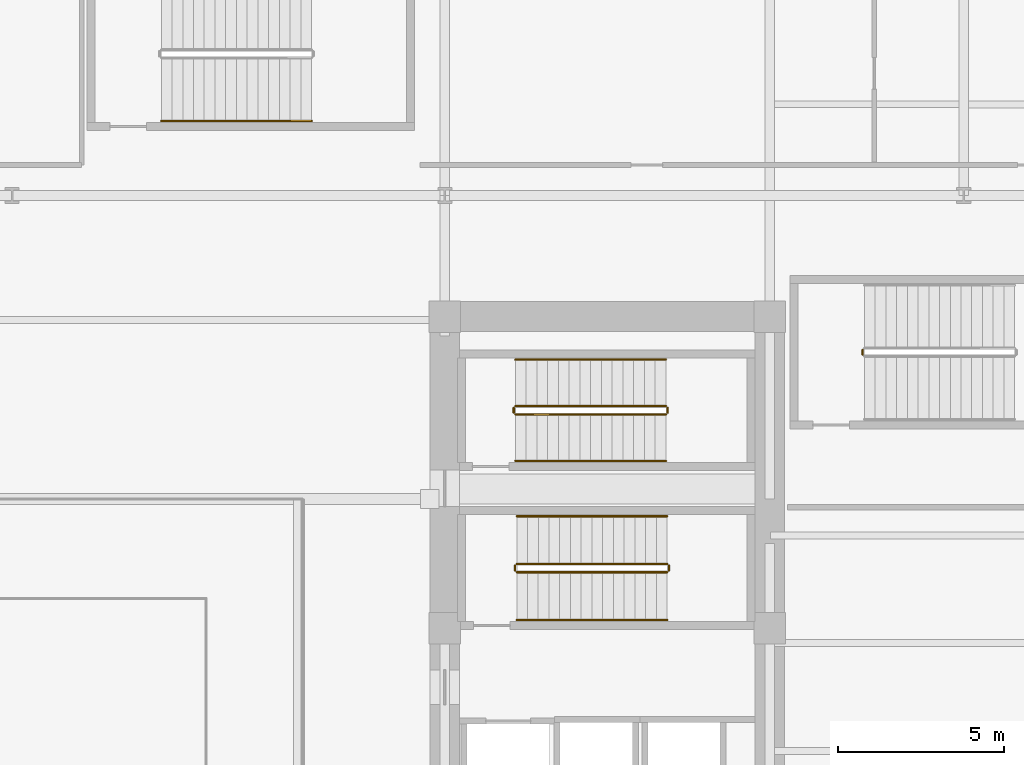
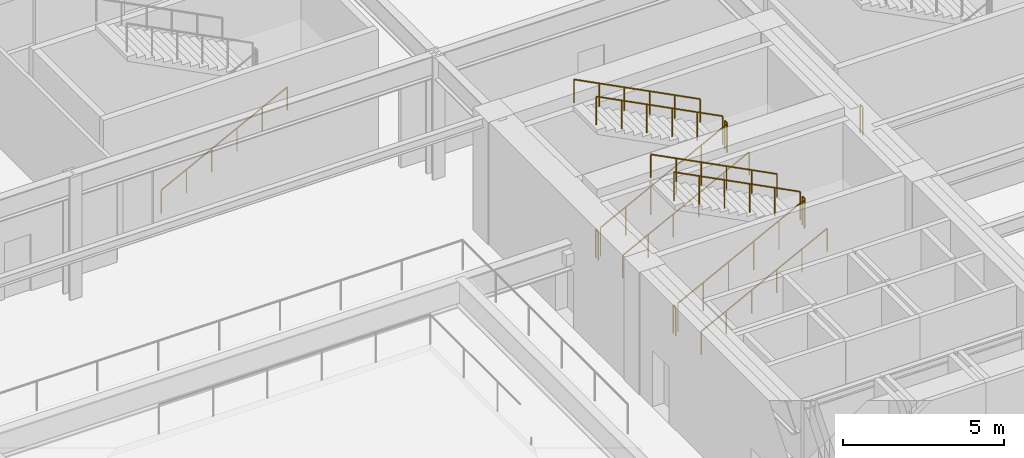
# One storey, part 21 of 24: 14 railings.
"""IFC4 building model written with IfcOpenShell, lengths in metres."""

from ifc_helpers import new_model, si_unit, direction, frame, origin, origin_2d, place, context, subcontext, project, spatial, circle, extrude, material, type_object, element, save


model = new_model("IFC4")

# Units and contexts
model_context = context("Model", 3, precision=1e-05, world=origin(), true_north=direction((0.0, 1.0)))
body_context = subcontext(model_context, "Body", "Model", "MODEL_VIEW")
ifc_project = project(units=[si_unit("LENGTHUNIT", "METRE"), si_unit("AREAUNIT", "SQUARE_METRE"), si_unit("VOLUMEUNIT", "CUBIC_METRE"), si_unit("PLANEANGLEUNIT", "RADIAN"), si_unit("MASSUNIT", "GRAM", prefix="KILO")], contexts=[model_context])

# Site, building, storey
site_placement = place(None, origin())
site = spatial("IfcSite", under=ifc_project, at=site_placement, CompositionType="ELEMENT")
building_placement = place(site_placement, origin())
building = spatial("IfcBuilding", under=site, at=building_placement, Name="Kolvaren Arena Tower", CompositionType="ELEMENT")
storey_placement = place(building_placement, frame((0.0, 0.0, 8.0)))
storey = spatial("IfcBuildingStorey", under=building, at=storey_placement, Name="L01", CompositionType="ELEMENT", Elevation=8.0)

# Railings
ifc_material_1 = material(Name="Painted galvanized steel", Category="steel")
railing_type_1 = type_object("IfcRailingType", Name="GUARD-ST-110", PredefinedType="GUARDRAIL", material=ifc_material_1)
railing_1_placement = place(storey_placement, frame((52.719970703125, 31.639892578125, 0.166748046875)))
element("IfcRailing", 1, at=railing_1_placement, inside=storey, type_object=railing_type_1, Name="L01 ST-E1 stair guard 1", PredefinedType="GUARDRAIL", context=body_context, shape_type="SweptSolid", body=[
    extrude(circle(Radius=0.02392578125, at=origin_2d()), frame((0.0, 0.0, 1.076171875), z_axis=(0.889257211316, 0.0, 0.457407490234), x_axis=(0.0, 1.0, 0.0)), (0.0, 0.0, 1.0), 5.10107421875),
    extrude(circle(Radius=0.02099609375, at=origin_2d()), origin(), (0.0, 0.0, 1.0), 1.052001953125),
    extrude(circle(Radius=0.02099609375, at=origin_2d()), frame((0.9072265625, 0.0, 0.466552734375)), (0.0, 0.0, 1.0), 1.052001953125),
    extrude(circle(Radius=0.02099609375, at=origin_2d()), frame((1.814453125, 0.0, 0.933349609375)), (0.0, 0.0, 1.0), 1.052001953125),
    extrude(circle(Radius=0.02099609375, at=origin_2d()), frame((2.7216796875, 0.0, 1.39990234375)), (0.0, 0.0, 1.0), 1.052001953125),
    extrude(circle(Radius=0.02099609375, at=origin_2d()), frame((3.62890625, 0.0, 1.86669921875)), (0.0, 0.0, 1.0), 1.052001953125),
    extrude(circle(Radius=0.02099609375, at=origin_2d()), frame((4.5361328125, 0.0, 2.333251953125)), (0.0, 0.0, 1.0), 1.052001953125),
])
railing_2_placement = place(storey_placement, frame((57.305908203125, 31.68994140625, 2.5)))
element("IfcRailing", 2, at=railing_2_placement, inside=storey, type_object=railing_type_1, Name="L01 ST-E1 stair guard 2", PredefinedType="GUARDRAIL", context=body_context, shape_type="SweptSolid", body=[
    extrude(circle(Radius=0.02392578125, at=origin_2d()), frame((0.0, 0.0, 1.076171875), z_axis=(0.0, 1.0, 0.0), x_axis=(-1.0, 0.0, 0.0)), (0.0, 0.0, 1.0), 0.150146484375),
    extrude(circle(Radius=0.02099609375, at=origin_2d()), origin(), (0.0, 0.0, 1.0), 1.052001953125),
    extrude(circle(Radius=0.02099609375, at=origin_2d()), frame((0.0, 0.150146484375, 0.0)), (0.0, 0.0, 1.0), 1.052001953125),
])
railing_3_placement = place(storey_placement, frame((57.256103515625, 31.889892578125, 2.666748046875)))
element("IfcRailing", 3, at=railing_3_placement, inside=storey, type_object=railing_type_1, Name="L01 ST-E1 stair guard 3", PredefinedType="GUARDRAIL", context=body_context, shape_type="SweptSolid", body=[
    extrude(circle(Radius=0.02392578125, at=origin_2d()), frame((0.0, 0.0, 1.076171875), z_axis=(-0.889257211316, 0.0, 0.457407490234), x_axis=(0.0, -1.0, 0.0)), (0.0, 0.0, 1.0), 5.10107421875),
    extrude(circle(Radius=0.02099609375, at=origin_2d()), origin(), (0.0, 0.0, 1.0), 1.052001953125),
    extrude(circle(Radius=0.02099609375, at=origin_2d()), frame((-0.9072265625, 0.0, 0.466552734375)), (0.0, 0.0, 1.0), 1.052001953125),
    extrude(circle(Radius=0.02099609375, at=origin_2d()), frame((-1.814453125, 0.0, 0.933349609375)), (0.0, 0.0, 1.0), 1.052001953125),
    extrude(circle(Radius=0.02099609375, at=origin_2d()), frame((-2.7216796875, 0.0, 1.39990234375)), (0.0, 0.0, 1.0), 1.052001953125),
    extrude(circle(Radius=0.02099609375, at=origin_2d()), frame((-3.62890625, 0.0, 1.86669921875)), (0.0, 0.0, 1.0), 1.052001953125),
    extrude(circle(Radius=0.02099609375, at=origin_2d()), frame((-4.5361328125, 0.0, 2.333251953125)), (0.0, 0.0, 1.0), 1.052001953125),
])
railing_4_placement = place(storey_placement, frame((52.669921875, 31.68994140625, 0.0)))
element("IfcRailing", 4, at=railing_4_placement, inside=storey, type_object=railing_type_1, Name="L01 ST-E1 stair guard 4", PredefinedType="GUARDRAIL", context=body_context, shape_type="SweptSolid", body=[
    extrude(circle(Radius=0.02392578125, at=origin_2d()), frame((0.0, 0.0, 1.076171875), z_axis=(0.0, 1.0, 0.0), x_axis=(-1.0, 0.0, 0.0)), (0.0, 0.0, 1.0), 0.150146484375),
    extrude(circle(Radius=0.02099609375, at=origin_2d()), origin(), (0.0, 0.0, 1.0), 1.052001953125),
    extrude(circle(Radius=0.02099609375, at=origin_2d()), frame((0.0, 0.150146484375, 0.0)), (0.0, 0.0, 1.0), 1.052001953125),
])
railing_5_placement = place(storey_placement, frame((52.679931640625, 36.39990234375, 0.166748046875)))
element("IfcRailing", 5, at=railing_5_placement, inside=storey, type_object=railing_type_1, Name="L01 ST-E2 stair guard 1", PredefinedType="GUARDRAIL", context=body_context, shape_type="SweptSolid", body=[
    extrude(circle(Radius=0.02392578125, at=origin_2d()), frame((0.0, 0.0, 1.076171875), z_axis=(0.889257211316, 0.0, 0.457407490234), x_axis=(0.0, 1.0, 0.0)), (0.0, 0.0, 1.0), 5.10107421875),
    extrude(circle(Radius=0.02099609375, at=origin_2d()), origin(), (0.0, 0.0, 1.0), 1.052001953125),
    extrude(circle(Radius=0.02099609375, at=origin_2d()), frame((0.9072265625, 0.0, 0.466552734375)), (0.0, 0.0, 1.0), 1.052001953125),
    extrude(circle(Radius=0.02099609375, at=origin_2d()), frame((1.814453125, 0.0, 0.933349609375)), (0.0, 0.0, 1.0), 1.052001953125),
    extrude(circle(Radius=0.02099609375, at=origin_2d()), frame((2.7216796875, 0.0, 1.39990234375)), (0.0, 0.0, 1.0), 1.052001953125),
    extrude(circle(Radius=0.02099609375, at=origin_2d()), frame((3.62890625, 0.0, 1.86669921875)), (0.0, 0.0, 1.0), 1.052001953125),
    extrude(circle(Radius=0.02099609375, at=origin_2d()), frame((4.5361328125, 0.0, 2.333251953125)), (0.0, 0.0, 1.0), 1.052001953125),
])
railing_6_placement = place(storey_placement, frame((57.26611328125, 36.449951171875, 2.5)))
element("IfcRailing", 6, at=railing_6_placement, inside=storey, type_object=railing_type_1, Name="L01 ST-E2 stair guard 2", PredefinedType="GUARDRAIL", context=body_context, shape_type="SweptSolid", body=[
    extrude(circle(Radius=0.02392578125, at=origin_2d()), frame((0.0, 0.0, 1.076171875), z_axis=(0.0, 1.0, 0.0), x_axis=(-1.0, 0.0, 0.0)), (0.0, 0.0, 1.0), 0.150146484375),
    extrude(circle(Radius=0.02099609375, at=origin_2d()), origin(), (0.0, 0.0, 1.0), 1.052001953125),
    extrude(circle(Radius=0.02099609375, at=origin_2d()), frame((0.0, 0.150146484375, 0.0)), (0.0, 0.0, 1.0), 1.052001953125),
])
railing_7_placement = place(storey_placement, frame((57.216064453125, 36.64990234375, 2.666748046875)))
element("IfcRailing", 7, at=railing_7_placement, inside=storey, type_object=railing_type_1, Name="L01 ST-E2 stair guard 3", PredefinedType="GUARDRAIL", context=body_context, shape_type="SweptSolid", body=[
    extrude(circle(Radius=0.02392578125, at=origin_2d()), frame((0.0, 0.0, 1.076171875), z_axis=(-0.889257211316, 0.0, 0.457407490234), x_axis=(0.0, -1.0, 0.0)), (0.0, 0.0, 1.0), 5.10107421875),
    extrude(circle(Radius=0.02099609375, at=origin_2d()), origin(), (0.0, 0.0, 1.0), 1.052001953125),
    extrude(circle(Radius=0.02099609375, at=origin_2d()), frame((-0.9072265625, 0.0, 0.466552734375)), (0.0, 0.0, 1.0), 1.052001953125),
    extrude(circle(Radius=0.02099609375, at=origin_2d()), frame((-1.814453125, 0.0, 0.933349609375)), (0.0, 0.0, 1.0), 1.052001953125),
    extrude(circle(Radius=0.02099609375, at=origin_2d()), frame((-2.7216796875, 0.0, 1.39990234375)), (0.0, 0.0, 1.0), 1.052001953125),
    extrude(circle(Radius=0.02099609375, at=origin_2d()), frame((-3.62890625, 0.0, 1.86669921875)), (0.0, 0.0, 1.0), 1.052001953125),
    extrude(circle(Radius=0.02099609375, at=origin_2d()), frame((-4.5361328125, 0.0, 2.333251953125)), (0.0, 0.0, 1.0), 1.052001953125),
])
for number, where, name in (
    (8, (52.6298828125, 36.449951171875, 0.0), "L01 ST-E2 stair guard 4"),
    (9, (63.14990234375, 38.199951171875, 0.0), "L01 ST-A8 stair guard 4"),
):
    element("IfcRailing", number, at=place(storey_placement, frame(where)), inside=storey, type_object=railing_type_1, Name=name, PredefinedType="GUARDRAIL", context=body_context, shape_type="SweptSolid", body=[
        extrude(circle(Radius=0.02392578125, at=origin_2d()), frame((0.0, 0.0, 1.076171875), z_axis=(0.0, 1.0, 0.0), x_axis=(-1.0, 0.0, 0.0)), (0.0, 0.0, 1.0), 0.150146484375),
        extrude(circle(Radius=0.02099609375, at=origin_2d()), origin(), (0.0, 0.0, 1.0), 1.052001953125),
        extrude(circle(Radius=0.02099609375, at=origin_2d()), frame((0.0, 0.150146484375, 0.0)), (0.0, 0.0, 1.0), 1.052001953125),
    ])
ifc_material_2 = material(Name="Brushed stainless steel handrail", Category="steel")
railing_type_2 = type_object("IfcRailingType", Name="HRAIL-900", PredefinedType="HANDRAIL", material=ifc_material_2)
railing_8_placement = place(storey_placement, frame((52.719970703125, 30.199951171875, 0.166748046875)))
element("IfcRailing", 10, at=railing_8_placement, inside=storey, type_object=railing_type_2, Name="L01 ST-E1 stair handrail 1", PredefinedType="HANDRAIL", context=body_context, shape_type="SweptSolid", body=[
    extrude(circle(Radius=0.02392578125, at=origin_2d()), frame((0.0, 0.0, 0.8759765625), z_axis=(0.889257211316, 0.0, 0.457407490234), x_axis=(0.0, 1.0, 0.0)), (0.0, 0.0, 1.0), 5.10107421875),
    extrude(circle(Radius=0.02099609375, at=origin_2d()), origin(), (0.0, 0.0, 1.0), 0.851806640625),
    extrude(circle(Radius=0.02099609375, at=origin_2d()), frame((0.9072265625, 0.0, 0.466552734375)), (0.0, 0.0, 1.0), 0.851806640625),
    extrude(circle(Radius=0.02099609375, at=origin_2d()), frame((1.814453125, 0.0, 0.933349609375)), (0.0, 0.0, 1.0), 0.851806640625),
    extrude(circle(Radius=0.02099609375, at=origin_2d()), frame((2.7216796875, 0.0, 1.39990234375)), (0.0, 0.0, 1.0), 0.851806640625),
    extrude(circle(Radius=0.02099609375, at=origin_2d()), frame((3.62890625, 0.0, 1.86669921875)), (0.0, 0.0, 1.0), 0.851806640625),
    extrude(circle(Radius=0.02099609375, at=origin_2d()), frame((4.5361328125, 0.0, 2.333251953125)), (0.0, 0.0, 1.0), 0.851806640625),
])
railing_9_placement = place(storey_placement, frame((57.256103515625, 33.330078125, 2.666748046875)))
element("IfcRailing", 11, at=railing_9_placement, inside=storey, type_object=railing_type_2, Name="L01 ST-E1 stair handrail 2", PredefinedType="HANDRAIL", context=body_context, shape_type="SweptSolid", body=[
    extrude(circle(Radius=0.02392578125, at=origin_2d()), frame((0.0, 0.0, 0.8759765625), z_axis=(-0.889257211316, 0.0, 0.457407490234), x_axis=(0.0, -1.0, 0.0)), (0.0, 0.0, 1.0), 5.10107421875),
    extrude(circle(Radius=0.02099609375, at=origin_2d()), origin(), (0.0, 0.0, 1.0), 0.851806640625),
    extrude(circle(Radius=0.02099609375, at=origin_2d()), frame((-0.9072265625, 0.0, 0.466552734375)), (0.0, 0.0, 1.0), 0.851806640625),
    extrude(circle(Radius=0.02099609375, at=origin_2d()), frame((-1.814453125, 0.0, 0.933349609375)), (0.0, 0.0, 1.0), 0.851806640625),
    extrude(circle(Radius=0.02099609375, at=origin_2d()), frame((-2.7216796875, 0.0, 1.39990234375)), (0.0, 0.0, 1.0), 0.851806640625),
    extrude(circle(Radius=0.02099609375, at=origin_2d()), frame((-3.62890625, 0.0, 1.86669921875)), (0.0, 0.0, 1.0), 0.851806640625),
    extrude(circle(Radius=0.02099609375, at=origin_2d()), frame((-4.5361328125, 0.0, 2.333251953125)), (0.0, 0.0, 1.0), 0.851806640625),
])
railing_10_placement = place(storey_placement, frame((52.679931640625, 35.0, 0.166748046875)))
element("IfcRailing", 12, at=railing_10_placement, inside=storey, type_object=railing_type_2, Name="L01 ST-E2 stair handrail 1", PredefinedType="HANDRAIL", context=body_context, shape_type="SweptSolid", body=[
    extrude(circle(Radius=0.02392578125, at=origin_2d()), frame((0.0, 0.0, 0.8759765625), z_axis=(0.889257211316, 0.0, 0.457407490234), x_axis=(0.0, 1.0, 0.0)), (0.0, 0.0, 1.0), 5.10107421875),
    extrude(circle(Radius=0.02099609375, at=origin_2d()), origin(), (0.0, 0.0, 1.0), 0.851806640625),
    extrude(circle(Radius=0.02099609375, at=origin_2d()), frame((0.9072265625, 0.0, 0.466552734375)), (0.0, 0.0, 1.0), 0.851806640625),
    extrude(circle(Radius=0.02099609375, at=origin_2d()), frame((1.814453125, 0.0, 0.933349609375)), (0.0, 0.0, 1.0), 0.851806640625),
    extrude(circle(Radius=0.02099609375, at=origin_2d()), frame((2.7216796875, 0.0, 1.39990234375)), (0.0, 0.0, 1.0), 0.851806640625),
    extrude(circle(Radius=0.02099609375, at=origin_2d()), frame((3.62890625, 0.0, 1.86669921875)), (0.0, 0.0, 1.0), 0.851806640625),
    extrude(circle(Radius=0.02099609375, at=origin_2d()), frame((4.5361328125, 0.0, 2.333251953125)), (0.0, 0.0, 1.0), 0.851806640625),
])
railing_11_placement = place(storey_placement, frame((57.216064453125, 38.050048828125, 2.666748046875)))
element("IfcRailing", 13, at=railing_11_placement, inside=storey, type_object=railing_type_2, Name="L01 ST-E2 stair handrail 2", PredefinedType="HANDRAIL", context=body_context, shape_type="SweptSolid", body=[
    extrude(circle(Radius=0.02392578125, at=origin_2d()), frame((0.0, 0.0, 0.8759765625), z_axis=(-0.889257211316, 0.0, 0.457407490234), x_axis=(0.0, -1.0, 0.0)), (0.0, 0.0, 1.0), 5.10107421875),
    extrude(circle(Radius=0.02099609375, at=origin_2d()), origin(), (0.0, 0.0, 1.0), 0.851806640625),
    extrude(circle(Radius=0.02099609375, at=origin_2d()), frame((-0.9072265625, 0.0, 0.466552734375)), (0.0, 0.0, 1.0), 0.851806640625),
    extrude(circle(Radius=0.02099609375, at=origin_2d()), frame((-1.814453125, 0.0, 0.933349609375)), (0.0, 0.0, 1.0), 0.851806640625),
    extrude(circle(Radius=0.02099609375, at=origin_2d()), frame((-2.7216796875, 0.0, 1.39990234375)), (0.0, 0.0, 1.0), 0.851806640625),
    extrude(circle(Radius=0.02099609375, at=origin_2d()), frame((-3.62890625, 0.0, 1.86669921875)), (0.0, 0.0, 1.0), 0.851806640625),
    extrude(circle(Radius=0.02099609375, at=origin_2d()), frame((-4.5361328125, 0.0, 2.333251953125)), (0.0, 0.0, 1.0), 0.851806640625),
])
railing_12_placement = place(storey_placement, frame((42.0, 45.25, 0.166748046875)))
element("IfcRailing", 14, at=railing_12_placement, inside=storey, type_object=railing_type_2, Name="L01 ST-A7 stair handrail 1", PredefinedType="HANDRAIL", context=body_context, shape_type="SweptSolid", body=[
    extrude(circle(Radius=0.02392578125, at=origin_2d()), frame((0.0, 0.0, 0.8759765625), z_axis=(0.889247197123, 0.0, 0.45742695855), x_axis=(0.0, 1.0, 0.0)), (0.0, 0.0, 1.0), 5.100830078125),
    extrude(circle(Radius=0.02099609375, at=origin_2d()), origin(), (0.0, 0.0, 1.0), 0.851806640625),
    extrude(circle(Radius=0.02099609375, at=origin_2d()), frame((0.9072265625, 0.0, 0.466552734375)), (0.0, 0.0, 1.0), 0.851806640625),
    extrude(circle(Radius=0.02099609375, at=origin_2d()), frame((1.814453125, 0.0, 0.933349609375)), (0.0, 0.0, 1.0), 0.851806640625),
    extrude(circle(Radius=0.02099609375, at=origin_2d()), frame((2.721435546875, 0.0, 1.39990234375)), (0.0, 0.0, 1.0), 0.851806640625),
    extrude(circle(Radius=0.02099609375, at=origin_2d()), frame((3.628662109375, 0.0, 1.86669921875)), (0.0, 0.0, 1.0), 0.851806640625),
    extrude(circle(Radius=0.02099609375, at=origin_2d()), frame((4.535888671875, 0.0, 2.333251953125)), (0.0, 0.0, 1.0), 0.851806640625),
])

save(model, "model.ifc")
